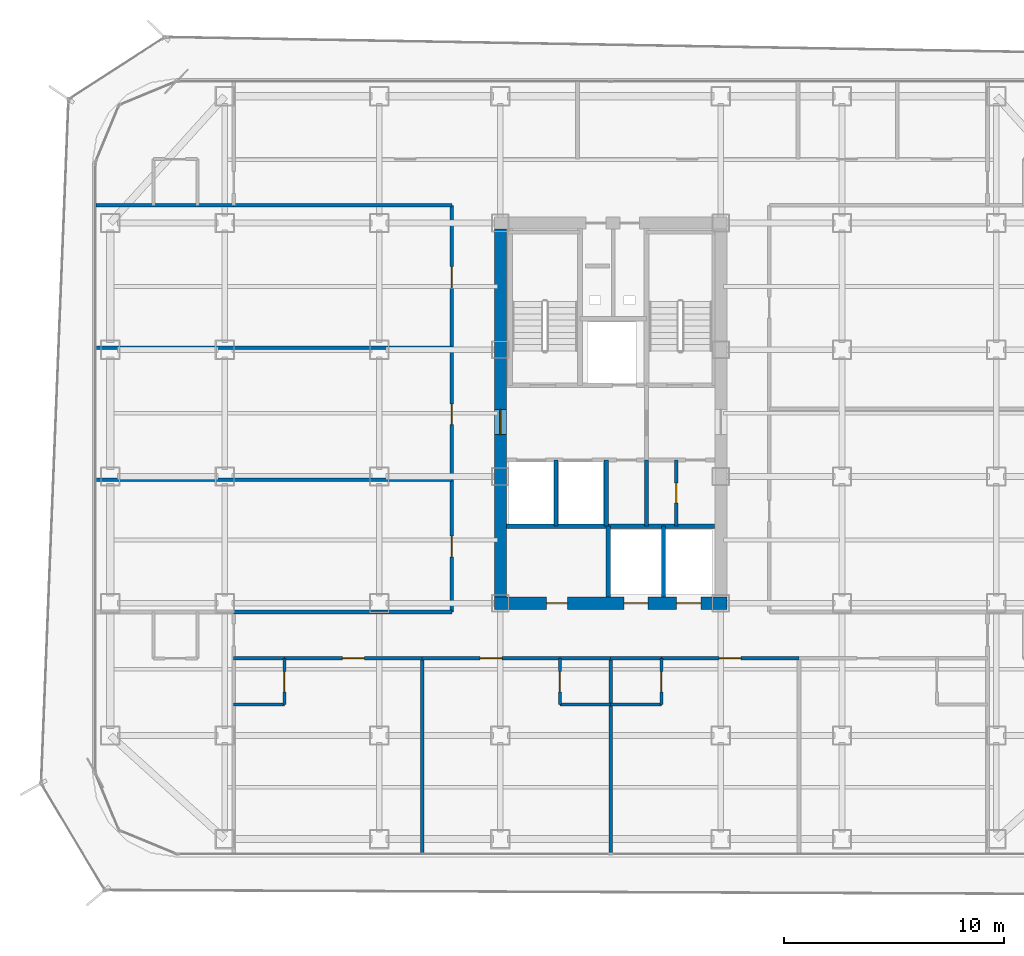
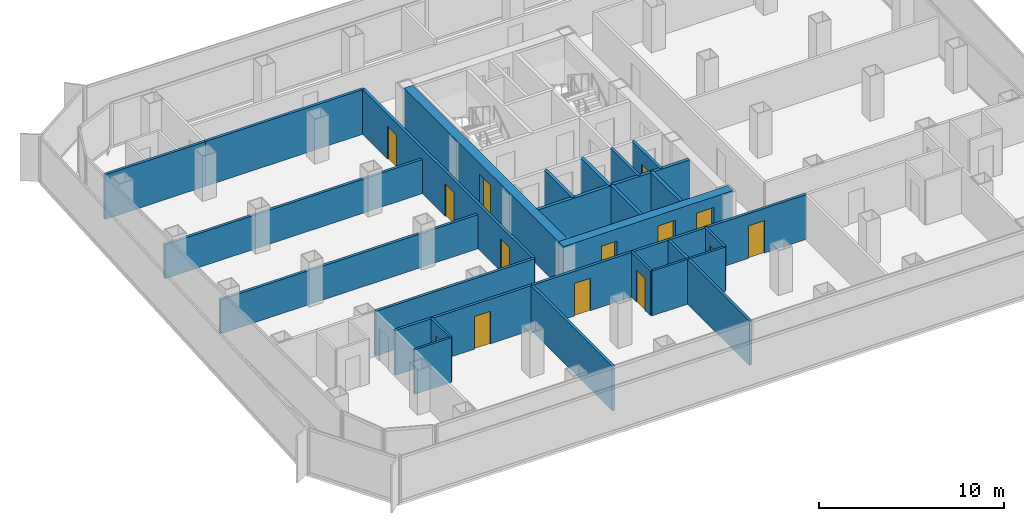
# One storey, part 16 of 21: 29 walls, 14 doors, 14 openings.
"""IFC4 building model written with IfcOpenShell, lengths in metres."""

import ifcopenshell
import ifcopenshell.guid

model = None  # the IFC model being written
_history = None  # IfcOwnerHistory: only IFC2X3 demands one
_inside = {}  # id of a spatial element -> (the spatial element, [elements in it])
_under = {}  # id of a project, library or spatial element -> (it, [spatial elements below it])
_declared = {}  # id of a project -> (the project, [libraries it declares])
_typed = {}  # id of a type object -> (the type object, [elements of that type])
_made_of = {}  # id of a material, layer set ... -> (it, [elements and type objects made of it])


def new_model(schema):
    """Start an empty IFC model of exactly this schema.

    Asked for "IFC4X3", IfcOpenShell would pick the latest addendum, in which some entities
    have other attributes; the version numbers below select the first issue.
    IFC2X3 requires an IfcOwnerHistory on every rooted entity: one is made here for all.
    """
    global model, _history
    if schema == "IFC4X3":
        model = ifcopenshell.file(schema_version=(4, 3, 0, 0))
    else:
        model = ifcopenshell.file(schema=schema)
    _inside.clear()
    _under.clear()
    _declared.clear()
    _typed.clear()
    _made_of.clear()
    _history = None
    if model.schema == "IFC2X3":
        org = make("IfcOrganization", Name="unknown")
        user = make(
            "IfcPersonAndOrganization",
            ThePerson=make("IfcPerson", FamilyName="unknown"),
            TheOrganization=org,
        )
        app = make(
            "IfcApplication",
            ApplicationDeveloper=org,
            Version="unknown",
            ApplicationFullName="unknown",
            ApplicationIdentifier="unknown",
        )
        _history = make(
            "IfcOwnerHistory",
            OwningUser=user,
            OwningApplication=app,
            ChangeAction="ADDED",
            CreationDate=0,
        )
    return model


def make(cls, **values):
    """One entity of the class cls with the attributes given. An attribute that is None is left unset."""
    return model.create_entity(
        cls, **{name: value for name, value in values.items() if value is not None}
    )


def rooted(cls, **values):
    """An entity with a GlobalId (a new one), such as an element, a storey or a relation."""
    return make(cls, GlobalId=ifcopenshell.guid.new(), OwnerHistory=_history, **values)


def si_unit(unit_type, name, prefix=None):
    """IfcSIUnit, for example si_unit("LENGTHUNIT", "METRE", prefix="MILLI")."""
    return make("IfcSIUnit", UnitType=unit_type, Prefix=prefix, Name=name)


def assignment(units):
    """IfcUnitAssignment: the units of a project."""
    return None if units is None else make("IfcUnitAssignment", Units=units)


def point(xyz):
    """IfcCartesianPoint."""
    return None if xyz is None else make("IfcCartesianPoint", Coordinates=xyz)


def direction(xyz):
    """IfcDirection."""
    return None if xyz is None else make("IfcDirection", DirectionRatios=xyz)


def frame(location, z_axis=None, x_axis=None):
    """IfcAxis2Placement3D, a coordinate frame: its origin and axes. An axis left out is left unset."""
    return make(
        "IfcAxis2Placement3D",
        Location=point(location),
        Axis=direction(z_axis),
        RefDirection=direction(x_axis),
    )


def frame_2d(location, x_axis=None):
    """IfcAxis2Placement2D, a coordinate frame in the plane: its origin and x axis."""
    return make(
        "IfcAxis2Placement2D", Location=point(location), RefDirection=direction(x_axis)
    )


def origin():
    """The frame at (0, 0, 0) with its axes left unset."""
    return frame((0.0, 0.0, 0.0))


def place(relative_to, where):
    """IfcLocalPlacement: puts the frame where relative to a parent placement (None: the world)."""
    return make(
        "IfcLocalPlacement", PlacementRelTo=relative_to, RelativePlacement=where
    )


def context(
    kind, dimensions, precision=None, world=None, true_north=None, identifier=None
):
    """IfcGeometricRepresentationContext, for example the 3D "Model" context."""
    return make(
        "IfcGeometricRepresentationContext",
        ContextIdentifier=identifier,
        ContextType=kind,
        CoordinateSpaceDimension=dimensions,
        Precision=precision,
        WorldCoordinateSystem=world,
        TrueNorth=true_north,
    )


def subcontext(parent, identifier, kind, view, scale=None):
    """IfcGeometricRepresentationSubContext, for example "Body" below "Model"."""
    return make(
        "IfcGeometricRepresentationSubContext",
        ContextIdentifier=identifier,
        ContextType=kind,
        ParentContext=parent,
        TargetScale=scale,
        TargetView=view,
    )


def project(units=None, contexts=None):
    """IfcProject with its units and contexts."""
    return rooted(
        "IfcProject",
        Name="project",
        RepresentationContexts=contexts,
        UnitsInContext=assignment(units),
    )


def spatial(cls, under=None, at=None, **own):
    """A site, building, storey or space (cls), placed at a placement, below another one or the project."""
    s = rooted(cls, ObjectPlacement=at, **own)
    if under is not None:
        _under.setdefault(under.id(), (under, []))[1].append(s)
    return s


def profile(cls, at=None, kind="AREA", **sizes):
    """A parametric profile (cls). Its sizes go by their IFC names, for example OverallWidth=200.0."""
    return make(cls, ProfileType=kind, Position=at, **sizes)


def rectangle(**sizes):
    """IfcRectangleProfileDef."""
    return profile("IfcRectangleProfileDef", **sizes)


def extrude(swept, where, along, depth):
    """IfcExtrudedAreaSolid: the profile swept, set in the frame where, extruded along a direction by depth."""
    return make(
        "IfcExtrudedAreaSolid",
        SweptArea=swept,
        Position=where,
        ExtrudedDirection=direction(along),
        Depth=depth,
    )


def shape(context_of_items, identifier, shape_type, items):
    """IfcShapeRepresentation: the items that make up one representation, for example the "Body"."""
    return make(
        "IfcShapeRepresentation",
        ContextOfItems=context_of_items,
        RepresentationIdentifier=identifier,
        RepresentationType=shape_type,
        Items=items,
    )


def material(Name=None, Category=None):
    """IfcMaterial."""
    return make("IfcMaterial", Name=Name, Category=Category)


def layer(
    of_material, thickness, ventilated=None, Name=None, Category=None, Priority=None
):
    """IfcMaterialLayer: one layer of a wall or slab, of a material (None: an air gap)."""
    return make(
        "IfcMaterialLayer",
        Material=of_material,
        LayerThickness=thickness,
        IsVentilated=ventilated,
        Name=Name,
        Category=Category,
        Priority=Priority,
    )


def layer_set(layers, Name=None):
    """IfcMaterialLayerSet."""
    return make("IfcMaterialLayerSet", MaterialLayers=layers, LayerSetName=Name)


def made_of(thing, what):
    """Note that an element or type object is made of a material, layer set ...; save() writes the relation."""
    if what is not None:
        _made_of.setdefault(what.id(), (what, []))[1].append(thing)
    return thing


def type_object(cls, material=None, **own):
    """A type object (cls), such as IfcWallType, which elements share."""
    return made_of(rooted(cls, **own), material)


def element(
    cls,
    number,
    at=None,
    inside=None,
    cuts=None,
    type_object=None,
    material=None,
    context=None,
    identifier="Body",
    shape_type=None,
    held_by="IfcProductDefinitionShape",
    body=None,
    shapes=None,
    **own,
):
    """One element of the class cls, such as IfcWall. Its Tag is "e" and its number.

    at: its placement. inside: the storey or other place that contains it. cuts: it is an
    opening in that element (IfcRelVoidsElement). A single representation is given by context,
    identifier, shape_type and body (its items); several are given by shapes. held_by: the class
    of the entity that holds the representations. save() writes the other relations.
    """
    e = rooted(cls, Tag="e%d" % number, ObjectPlacement=at, **own)
    if body is not None:
        shapes = [shape(context, identifier, shape_type, body)]
    if shapes is not None:
        e.Representation = make(held_by, Representations=shapes)
    if inside is not None:
        _inside.setdefault(inside.id(), (inside, []))[1].append(e)
    if cuts is not None:
        rooted(
            "IfcRelVoidsElement", RelatingBuildingElement=cuts, RelatedOpeningElement=e
        )
    if type_object is not None:
        _typed.setdefault(type_object.id(), (type_object, []))[1].append(e)
    return made_of(e, material)


def fill(opening, filler):
    """IfcRelFillsElement: the door or window that sits in an opening."""
    return rooted(
        "IfcRelFillsElement",
        RelatingOpeningElement=opening,
        RelatedBuildingElement=filler,
    )


def aggregate(whole, parts):
    """IfcRelAggregates: a whole, such as a stair, and the parts it consists of."""
    return rooted("IfcRelAggregates", RelatingObject=whole, RelatedObjects=parts)


def save(model, path):
    """Write the relations noted so far, then the file.

    IfcRelAggregates (storeys below a building ...), IfcRelContainedInSpatialStructure (elements
    in a storey), IfcRelDefinesByType, IfcRelAssociatesMaterial and IfcRelDeclares: one each for
    every whole, place, type object, material and project.
    """
    for whole, parts in _under.values():
        aggregate(whole, parts)
    for where, things in _inside.values():
        rooted(
            "IfcRelContainedInSpatialStructure",
            RelatedElements=things,
            RelatingStructure=where,
        )
    for kind, things in _typed.values():
        rooted("IfcRelDefinesByType", RelatedObjects=things, RelatingType=kind)
    for what, things in _made_of.values():
        rooted("IfcRelAssociatesMaterial", RelatedObjects=things, RelatingMaterial=what)
    for by, libraries in _declared.values():
        rooted("IfcRelDeclares", RelatingContext=by, RelatedDefinitions=libraries)
    model.write(path)


model = new_model("IFC4")

# Units and contexts
model_context = context("Model", 3, precision=1e-05, world=origin(), true_north=direction((0.0, 1.0)))
body_context = subcontext(model_context, "Body", "Model", "MODEL_VIEW")
ifc_project = project(units=[si_unit("LENGTHUNIT", "METRE"), si_unit("AREAUNIT", "SQUARE_METRE"), si_unit("VOLUMEUNIT", "CUBIC_METRE"), si_unit("PLANEANGLEUNIT", "RADIAN"), si_unit("MASSUNIT", "GRAM", prefix="KILO")], contexts=[model_context])

# Site, building, storey
site_placement = place(None, origin())
site = spatial("IfcSite", under=ifc_project, at=site_placement, CompositionType="ELEMENT")
building_placement = place(site_placement, origin())
building = spatial("IfcBuilding", under=site, at=building_placement, Name="Kolveth Station Tower", CompositionType="ELEMENT")
storey_placement = place(building_placement, frame((0.0, 0.0, 108.699951171875)))
storey = spatial("IfcBuildingStorey", under=building, at=storey_placement, Name="L29", CompositionType="ELEMENT", Elevation=108.699951171875)

# Wall, openings, doors
ifc_material_1 = material(Name="Concrete C60/75", Category="concrete")
ifc_layer_1 = layer(ifc_material_1, 0.550048828125)
ifc_layer_set_1 = layer_set([ifc_layer_1], Name="Concrete C60/75")
wall_type_1 = type_object("IfcWallType", Name="Wall_CW-550", PredefinedType="SHEAR", material=ifc_layer_set_1)
wall_1_placement = place(storey_placement, frame((18.22509765625, 11.5, 0.0), z_axis=(0.0, 0.0, 1.0), x_axis=(1.0, 0.0, 0.0)))
wall_1 = element("IfcWall", 1, at=wall_1_placement, inside=storey, type_object=wall_type_1, Name="L29 Core RC Shear Wall S", PredefinedType="SHEAR", context=body_context, shape_type="SweptSolid", body=[
    extrude(rectangle(XDim=10.5498046875, YDim=0.550048828125, at=frame_2d((5.27490234375, 0.0))), origin(), (0.0, 0.0, 1.0), 2.949951171875),
])
opening_1_placement = place(wall_1_placement, frame((2.375, 0.0, 0.0)))
opening_1 = element("IfcOpeningElement", 2, at=opening_1_placement, cuts=wall_1, Name="Opening ID1", PredefinedType="OPENING", context=body_context, shape_type="SweptSolid", body=[
    extrude(rectangle(XDim=0.949951171875, YDim=2.14990234375, at=frame_2d((0.47509765625, 1.074951171875))), frame((0.0, 0.284912109375, 0.0), z_axis=(0.0, -1.0, 0.0), x_axis=(1.0, 0.0, 0.0)), (0.0, 0.0, 1.0), 0.570068359375),
])
opening_2_placement = place(wall_1_placement, frame((5.875, 0.0, 0.0)))
opening_2 = element("IfcOpeningElement", 3, at=opening_2_placement, cuts=wall_1, Name="Opening LD1", PredefinedType="OPENING", context=body_context, shape_type="SweptSolid", body=[
    extrude(rectangle(XDim=1.10009765625, YDim=2.25, at=frame_2d((0.550048828125, 1.125))), frame((0.0, 0.284912109375, 0.0), z_axis=(0.0, -1.0, 0.0), x_axis=(1.0, 0.0, 0.0)), (0.0, 0.0, 1.0), 0.570068359375),
])
opening_3_placement = place(wall_1_placement, frame((8.27490234375, 0.0, 0.0)))
opening_3 = element("IfcOpeningElement", 4, at=opening_3_placement, cuts=wall_1, Name="Opening LD1", PredefinedType="OPENING", context=body_context, shape_type="SweptSolid", body=[
    extrude(rectangle(XDim=1.10009765625, YDim=2.25, at=frame_2d((0.550048828125, 1.125))), frame((0.0, 0.284912109375, 0.0), z_axis=(0.0, -1.0, 0.0), x_axis=(1.0, 0.0, 0.0)), (0.0, 0.0, 1.0), 0.570068359375),
])
ifc_material_2 = material(Name="Acoustic hardwood leaf and aluminium frame", Category="wood")
door_type_1 = type_object("IfcDoorType", Name="Door_ID1", OperationType="NOTDEFINED", PredefinedType="DOOR", material=ifc_material_2)
door_1_placement = place(opening_1_placement, frame((0.949951171875, 0.0, 0.0), z_axis=(0.0, 0.0, 1.0), x_axis=(-1.0, 0.0, 0.0)))
door_1 = element("IfcDoor", 5, at=door_1_placement, inside=storey, type_object=door_type_1, Name="L29 Hotel Pantry Door", OperationType="SINGLE_SWING_LEFT", OverallHeight=2.14990234375, OverallWidth=0.949951171875, PredefinedType="DOOR", context=body_context, shape_type="SweptSolid", body=[
    extrude(rectangle(XDim=0.949951171875, YDim=2.14990234375, at=frame_2d((0.47509765625, 1.074951171875))), frame((0.0, 0.02490234375, 0.0), z_axis=(0.0, -1.0, 0.0), x_axis=(1.0, 0.0, 0.0)), (0.0, 0.0, 1.0), 0.050048828125),
])
fill(opening_1, door_1)
ifc_material_3 = material(Name="Brushed stainless steel sliding landing doors", Category="steel")
door_type_2 = type_object("IfcDoorType", Name="Door_LD1", OperationType="NOTDEFINED", PredefinedType="DOOR", material=ifc_material_3)
door_2_placement = place(opening_2_placement, frame((1.10009765625, 0.0, 0.0), z_axis=(0.0, 0.0, 1.0), x_axis=(-1.0, 0.0, 0.0)))
door_2 = element("IfcDoor", 6, at=door_2_placement, inside=storey, type_object=door_type_2, Name="L29 Lift PM1 Landing Door", OperationType="DOUBLE_DOOR_SLIDING", OverallHeight=2.25, OverallWidth=1.10009765625, PredefinedType="DOOR", context=body_context, shape_type="SweptSolid", body=[
    extrude(rectangle(XDim=1.10009765625, YDim=2.25, at=frame_2d((0.550048828125, 1.125))), frame((0.0, 0.02490234375, 0.0), z_axis=(0.0, -1.0, 0.0), x_axis=(1.0, 0.0, 0.0)), (0.0, 0.0, 1.0), 0.050048828125),
])
fill(opening_2, door_2)
door_3_placement = place(opening_3_placement, frame((1.10009765625, 0.0, 0.0), z_axis=(0.0, 0.0, 1.0), x_axis=(-1.0, 0.0, 0.0)))
door_3 = element("IfcDoor", 7, at=door_3_placement, inside=storey, type_object=door_type_2, Name="L29 Lift PH1 Landing Door", OperationType="DOUBLE_DOOR_SLIDING", OverallHeight=2.25, OverallWidth=1.10009765625, PredefinedType="DOOR", context=body_context, shape_type="SweptSolid", body=[
    extrude(rectangle(XDim=1.10009765625, YDim=2.25, at=frame_2d((0.550048828125, 1.125))), frame((0.0, 0.02490234375, 0.0), z_axis=(0.0, -1.0, 0.0), x_axis=(1.0, 0.0, 0.0)), (0.0, 0.0, 1.0), 0.050048828125),
])
fill(opening_3, door_3)

# Wall, opening, door
wall_2_placement = place(storey_placement, frame((18.5, 11.77490234375, 0.0), z_axis=(0.0, 0.0, 1.0), x_axis=(0.0, 1.0, 0.0)))
wall_2 = element("IfcWall", 8, at=wall_2_placement, inside=storey, type_object=wall_type_1, Name="L29 Core RC Shear Wall W", PredefinedType="SHEAR", context=body_context, shape_type="SweptSolid", body=[
    extrude(rectangle(XDim=16.7001953125, YDim=0.550048828125, at=frame_2d((8.35009765625, 0.0))), origin(), (0.0, 0.0, 1.0), 2.949951171875),
])
opening_4_placement = place(wall_2_placement, frame((7.375, 0.0, 0.0)))
opening_4 = element("IfcOpeningElement", 9, at=opening_4_placement, cuts=wall_2, Name="Opening FD1", PredefinedType="OPENING", context=body_context, shape_type="SweptSolid", body=[
    extrude(rectangle(XDim=1.14990234375, YDim=2.199951171875, at=frame_2d((0.574951171875, 1.10009765625))), frame((0.0, 0.284912109375, 0.0), z_axis=(0.0, -1.0, 0.0), x_axis=(1.0, 0.0, 0.0)), (0.0, 0.0, 1.0), 0.570068359375),
])
ifc_material_4 = material(Name="Fire-rated Steel S355 leaf and frame", Category="steel")
door_type_3 = type_object("IfcDoorType", Name="Door_FD1", OperationType="NOTDEFINED", PredefinedType="DOOR", material=ifc_material_4)
door_4_placement = place(opening_4_placement, frame((1.14990234375, 0.0, 0.0), z_axis=(0.0, 0.0, 1.0), x_axis=(-1.0, 0.0, 0.0)))
door_4 = element("IfcDoor", 10, at=door_4_placement, inside=storey, type_object=door_type_3, Name="L29 West Corridor to Firefighting Lobby Door", OperationType="SINGLE_SWING_LEFT", OverallHeight=2.199951171875, OverallWidth=1.14990234375, PredefinedType="DOOR", context=body_context, shape_type="SweptSolid", body=[
    extrude(rectangle(XDim=1.14990234375, YDim=2.199951171875, at=frame_2d((0.574951171875, 1.10009765625))), frame((0.0, 0.02490234375, 0.0), z_axis=(0.0, -1.0, 0.0), x_axis=(1.0, 0.0, 0.0)), (0.0, 0.0, 1.0), 0.050048828125),
])
fill(opening_4, door_4)

ifc_material_5 = material(Name="Moisture-resistant gypsum partition")
ifc_layer_2 = layer(ifc_material_5, 0.135009765625)
ifc_layer_set_2 = layer_set([ifc_layer_2], Name="Moisture-resistant gypsum partition")
wall_type_2 = type_object("IfcWallType", Name="Wall_IW-135", PredefinedType="PARTITIONING", material=ifc_layer_set_2)
wall_3_placement = place(storey_placement, frame((8.699951171875, 6.89990234375, 0.0), z_axis=(0.0, 0.0, 1.0), x_axis=(0.0, 1.0, 0.0)))
wall_3 = element("IfcWall", 11, at=wall_3_placement, inside=storey, type_object=wall_type_2, Name="L29 Partition Wall WL-L29-HS1-BV", PredefinedType="PARTITIONING", context=body_context, shape_type="SweptSolid", body=[
    extrude(rectangle(XDim=2.10009765625, YDim=0.135009765625, at=frame_2d((1.050048828125, 0.0))), origin(), (0.0, 0.0, 1.0), 2.949951171875),
])
opening_5_placement = place(wall_3_placement, frame((0.580078125, 0.0, 0.0)))
opening_5 = element("IfcOpeningElement", 12, at=opening_5_placement, cuts=wall_3, Name="Opening ID2", PredefinedType="OPENING", context=body_context, shape_type="SweptSolid", body=[
    extrude(rectangle(XDim=0.919921875, YDim=2.10009765625, at=frame_2d((0.4599609375, 1.050048828125))), frame((0.0, 0.077392578125, 0.0), z_axis=(0.0, -1.0, 0.0), x_axis=(1.0, 0.0, 0.0)), (0.0, 0.0, 1.0), 0.155029296875),
])
ifc_material_6 = material(Name="Moisture-resistant hardwood leaf", Category="wood")
door_type_4 = type_object("IfcDoorType", Name="Door_ID2", OperationType="NOTDEFINED", PredefinedType="DOOR", material=ifc_material_6)
door_5_placement = place(opening_5_placement, frame((0.919921875, 0.0, 0.0), z_axis=(0.0, 0.0, 1.0), x_axis=(-1.0, 0.0, 0.0)))
door_5 = element("IfcDoor", 13, at=door_5_placement, inside=storey, type_object=door_type_4, Name="L29 Hotel Corner Suite HS1 En-Suite Door", OperationType="SINGLE_SWING_LEFT", OverallHeight=2.10009765625, OverallWidth=0.919921875, PredefinedType="DOOR", context=body_context, shape_type="SweptSolid", body=[
    extrude(rectangle(XDim=0.919921875, YDim=2.10009765625, at=frame_2d((0.4599609375, 1.050048828125))), frame((0.0, 0.02490234375, 0.0), z_axis=(0.0, -1.0, 0.0), x_axis=(1.0, 0.0, 0.0)), (0.0, 0.0, 1.0), 0.050048828125),
])
fill(opening_5, door_5)

# Wall
wall_4_placement = place(storey_placement, frame((6.39990234375, 6.89990234375, 0.0), z_axis=(0.0, 0.0, 1.0), x_axis=(1.0, 0.0, 0.0)))
element("IfcWall", 14, at=wall_4_placement, inside=storey, type_object=wall_type_2, Name="L29 Partition Wall WL-L29-HS1-BH", PredefinedType="PARTITIONING", context=body_context, shape_type="SweptSolid", body=[
    extrude(rectangle(XDim=2.300048828125, YDim=0.135009765625, at=frame_2d((1.14990234375, 0.0))), origin(), (0.0, 0.0, 1.0), 2.949951171875),
])

# Wall, opening, door
wall_5_placement = place(storey_placement, frame((21.199951171875, 6.89990234375, 0.0), z_axis=(0.0, 0.0, 1.0), x_axis=(0.0, 1.0, 0.0)))
wall_5 = element("IfcWall", 15, at=wall_5_placement, inside=storey, type_object=wall_type_2, Name="L29 Partition Wall WL-L29-HS2-BV", PredefinedType="PARTITIONING", context=body_context, shape_type="SweptSolid", body=[
    extrude(rectangle(XDim=2.10009765625, YDim=0.135009765625, at=frame_2d((1.050048828125, 0.0))), origin(), (0.0, 0.0, 1.0), 2.949951171875),
])
opening_6_placement = place(wall_5_placement, frame((0.580078125, 0.0, 0.0)))
opening_6 = element("IfcOpeningElement", 16, at=opening_6_placement, cuts=wall_5, Name="Opening ID2", PredefinedType="OPENING", context=body_context, shape_type="SweptSolid", body=[
    extrude(rectangle(XDim=0.919921875, YDim=2.10009765625, at=frame_2d((0.4599609375, 1.050048828125))), frame((0.0, 0.077392578125, 0.0), z_axis=(0.0, -1.0, 0.0), x_axis=(1.0, 0.0, 0.0)), (0.0, 0.0, 1.0), 0.155029296875),
])
door_6_placement = place(opening_6_placement, origin())
door_6 = element("IfcDoor", 17, at=door_6_placement, inside=storey, type_object=door_type_4, Name="L29 Hotel Corner Suite HS2 En-Suite Door", OperationType="SINGLE_SWING_RIGHT", OverallHeight=2.10009765625, OverallWidth=0.919921875, PredefinedType="DOOR", context=body_context, shape_type="SweptSolid", body=[
    extrude(rectangle(XDim=0.919921875, YDim=2.10009765625, at=frame_2d((0.4599609375, 1.050048828125))), frame((0.0, 0.02490234375, 0.0), z_axis=(0.0, -1.0, 0.0), x_axis=(1.0, 0.0, 0.0)), (0.0, 0.0, 1.0), 0.050048828125),
])
fill(opening_6, door_6)

# Wall
wall_6_placement = place(storey_placement, frame((21.199951171875, 6.89990234375, 0.0), z_axis=(0.0, 0.0, 1.0), x_axis=(1.0, 0.0, 0.0)))
element("IfcWall", 18, at=wall_6_placement, inside=storey, type_object=wall_type_2, Name="L29 Partition Wall WL-L29-HS2-BH", PredefinedType="PARTITIONING", context=body_context, shape_type="SweptSolid", body=[
    extrude(rectangle(XDim=2.300048828125, YDim=0.135009765625, at=frame_2d((1.14990234375, 0.0))), origin(), (0.0, 0.0, 1.0), 2.949951171875),
])

# Wall, opening, door
wall_7_placement = place(storey_placement, frame((25.800048828125, 6.89990234375, 0.0), z_axis=(0.0, 0.0, 1.0), x_axis=(0.0, 1.0, 0.0)))
wall_7 = element("IfcWall", 19, at=wall_7_placement, inside=storey, type_object=wall_type_2, Name="L29 Partition Wall WL-L29-HS3-BV", PredefinedType="PARTITIONING", context=body_context, shape_type="SweptSolid", body=[
    extrude(rectangle(XDim=2.10009765625, YDim=0.135009765625, at=frame_2d((1.050048828125, 0.0))), origin(), (0.0, 0.0, 1.0), 2.949951171875),
])
opening_7_placement = place(wall_7_placement, frame((0.580078125, 0.0, 0.0)))
opening_7 = element("IfcOpeningElement", 20, at=opening_7_placement, cuts=wall_7, Name="Opening ID2", PredefinedType="OPENING", context=body_context, shape_type="SweptSolid", body=[
    extrude(rectangle(XDim=0.919921875, YDim=2.10009765625, at=frame_2d((0.4599609375, 1.050048828125))), frame((0.0, 0.077392578125, 0.0), z_axis=(0.0, -1.0, 0.0), x_axis=(1.0, 0.0, 0.0)), (0.0, 0.0, 1.0), 0.155029296875),
])
door_7_placement = place(opening_7_placement, frame((0.919921875, 0.0, 0.0), z_axis=(0.0, 0.0, 1.0), x_axis=(-1.0, 0.0, 0.0)))
door_7 = element("IfcDoor", 21, at=door_7_placement, inside=storey, type_object=door_type_4, Name="L29 Hotel Corner Suite HS3 En-Suite Door", OperationType="SINGLE_SWING_RIGHT", OverallHeight=2.10009765625, OverallWidth=0.919921875, PredefinedType="DOOR", context=body_context, shape_type="SweptSolid", body=[
    extrude(rectangle(XDim=0.919921875, YDim=2.10009765625, at=frame_2d((0.4599609375, 1.050048828125))), frame((0.0, 0.02490234375, 0.0), z_axis=(0.0, -1.0, 0.0), x_axis=(1.0, 0.0, 0.0)), (0.0, 0.0, 1.0), 0.050048828125),
])
fill(opening_7, door_7)

# Walls
wall_8_placement = place(storey_placement, frame((23.5, 6.89990234375, 0.0), z_axis=(0.0, 0.0, 1.0), x_axis=(1.0, 0.0, 0.0)))
element("IfcWall", 22, at=wall_8_placement, inside=storey, type_object=wall_type_2, Name="L29 Partition Wall WL-L29-HS3-BH", PredefinedType="PARTITIONING", context=body_context, shape_type="SweptSolid", body=[
    extrude(rectangle(XDim=2.300048828125, YDim=0.135009765625, at=frame_2d((1.14990234375, 0.0))), origin(), (0.0, 0.0, 1.0), 2.949951171875),
])
ifc_material_7 = material(Name="Acoustic double-stud gypsum partition")
ifc_layer_3 = layer(ifc_material_7, 0.1650390625)
ifc_layer_set_3 = layer_set([ifc_layer_3], Name="Acoustic double-stud gypsum partition")
wall_type_3 = type_object("IfcWallType", Name="Wall_IW-165", PredefinedType="PARTITIONING", material=ifc_layer_set_3)
wall_9_placement = place(storey_placement, frame((25.1298828125, 15.0, 0.0), z_axis=(0.0, 0.0, 1.0), x_axis=(0.0, 1.0, 0.0)))
element("IfcWall", 23, at=wall_9_placement, inside=storey, type_object=wall_type_3, Name="L29 Partition Wall WL-L29-CB-V3A", PredefinedType="PARTITIONING", context=body_context, shape_type="SweptSolid", body=[
    extrude(rectangle(XDim=3.0, YDim=0.1650390625, at=frame_2d((1.5, 0.0))), origin(), (0.0, 0.0, 1.0), 2.949951171875),
])

# Wall, opening, door
wall_10_placement = place(storey_placement, frame((26.47998046875, 15.0, 0.0), z_axis=(0.0, 0.0, 1.0), x_axis=(0.0, 1.0, 0.0)))
wall_10 = element("IfcWall", 24, at=wall_10_placement, inside=storey, type_object=wall_type_3, Name="L29 Partition Wall WL-L29-CB-V3B", PredefinedType="PARTITIONING", context=body_context, shape_type="SweptSolid", body=[
    extrude(rectangle(XDim=3.0, YDim=0.1650390625, at=frame_2d((1.5, 0.0))), origin(), (0.0, 0.0, 1.0), 2.949951171875),
])
opening_8_placement = place(wall_10_placement, frame((1.050048828125, 0.0, 0.0)))
opening_8 = element("IfcOpeningElement", 25, at=opening_8_placement, cuts=wall_10, Name="Opening RD1", PredefinedType="OPENING", context=body_context, shape_type="SweptSolid", body=[
    extrude(rectangle(XDim=0.89990234375, YDim=2.050048828125, at=frame_2d((0.449951171875, 1.02490234375))), frame((0.0, 0.092529296875, 0.0), z_axis=(0.0, -1.0, 0.0), x_axis=(1.0, 0.0, 0.0)), (0.0, 0.0, 1.0), 0.18505859375),
])
ifc_material_8 = material(Name="Fire-rated Steel S355 riser access leaf", Category="steel")
door_type_5 = type_object("IfcDoorType", Name="Door_RD1", OperationType="NOTDEFINED", PredefinedType="DOOR", material=ifc_material_8)
door_8_placement = place(opening_8_placement, origin())
door_8 = element("IfcDoor", 26, at=door_8_placement, inside=storey, type_object=door_type_5, Name="L29 Core Meter Closet Door", OperationType="SINGLE_SWING_LEFT", OverallHeight=2.050048828125, OverallWidth=0.89990234375, PredefinedType="DOOR", context=body_context, shape_type="SweptSolid", body=[
    extrude(rectangle(XDim=0.89990234375, YDim=2.050048828125, at=frame_2d((0.449951171875, 1.02490234375))), frame((0.0, 0.02490234375, 0.0), z_axis=(0.0, -1.0, 0.0), x_axis=(1.0, 0.0, 0.0)), (0.0, 0.0, 1.0), 0.050048828125),
])
fill(opening_8, door_8)

# Walls
for number, where, z_axis, x_axis, name in (
    (27, (6.39990234375, 11.10009765625, 0.0), (0.0, 0.0, 1.0), (1.0, 0.0, 0.0), "L29 Partition Wall WL-L29-HSWT"),
    (28, (6.39990234375, 29.550048828125, 0.0), (0.0, 0.0, 1.0), (1.0, 0.0, 0.0), "L29 Partition Wall WL-L29-HNWB"),
):
    element("IfcWall", number, at=place(storey_placement, frame(where, z_axis=z_axis, x_axis=x_axis)), inside=storey, type_object=wall_type_3, Name=name, PredefinedType="PARTITIONING", context=body_context, shape_type="SweptSolid", body=[
        extrude(rectangle(XDim=9.900146484375, YDim=0.1650390625, at=frame_2d((4.9501953125, 0.0))), origin(), (0.0, 0.0, 1.0), 2.949951171875),
    ])

# Wall, openings, doors
wall_11_placement = place(storey_placement, frame((16.300048828125, 11.10009765625, 0.0), z_axis=(0.0, 0.0, 1.0), x_axis=(0.0, 1.0, 0.0)))
wall_11 = element("IfcWall", 29, at=wall_11_placement, inside=storey, type_object=wall_type_3, Name="L29 Partition Wall WL-L29-HW", PredefinedType="PARTITIONING", context=body_context, shape_type="SweptSolid", body=[
    extrude(rectangle(XDim=18.449951171875, YDim=0.1650390625, at=frame_2d((9.22509765625, 0.0))), origin(), (0.0, 0.0, 1.0), 2.949951171875),
])
opening_9_placement = place(wall_11_placement, frame((2.5, 0.0, 0.0)))
opening_9 = element("IfcOpeningElement", 30, at=opening_9_placement, cuts=wall_11, Name="Opening ID1", PredefinedType="OPENING", context=body_context, shape_type="SweptSolid", body=[
    extrude(rectangle(XDim=0.949951171875, YDim=2.14990234375, at=frame_2d((0.47509765625, 1.074951171875))), frame((0.0, 0.092529296875, 0.0), z_axis=(0.0, -1.0, 0.0), x_axis=(1.0, 0.0, 0.0)), (0.0, 0.0, 1.0), 0.18505859375),
])
opening_10_placement = place(wall_11_placement, frame((8.5, 0.0, 0.0)))
opening_10 = element("IfcOpeningElement", 31, at=opening_10_placement, cuts=wall_11, Name="Opening ID1", PredefinedType="OPENING", context=body_context, shape_type="SweptSolid", body=[
    extrude(rectangle(XDim=0.949951171875, YDim=2.14990234375, at=frame_2d((0.47509765625, 1.074951171875))), frame((0.0, 0.092529296875, 0.0), z_axis=(0.0, -1.0, 0.0), x_axis=(1.0, 0.0, 0.0)), (0.0, 0.0, 1.0), 0.18505859375),
])
opening_11_placement = place(wall_11_placement, frame((14.72509765625, 0.0, 0.0)))
opening_11 = element("IfcOpeningElement", 32, at=opening_11_placement, cuts=wall_11, Name="Opening ID1", PredefinedType="OPENING", context=body_context, shape_type="SweptSolid", body=[
    extrude(rectangle(XDim=0.949951171875, YDim=2.14990234375, at=frame_2d((0.47509765625, 1.074951171875))), frame((0.0, 0.092529296875, 0.0), z_axis=(0.0, -1.0, 0.0), x_axis=(1.0, 0.0, 0.0)), (0.0, 0.0, 1.0), 0.18505859375),
])
door_9_placement = place(opening_9_placement, frame((0.949951171875, 0.0, 0.0), z_axis=(0.0, 0.0, 1.0), x_axis=(-1.0, 0.0, 0.0)))
door_9 = element("IfcDoor", 33, at=door_9_placement, inside=storey, type_object=door_type_1, Name="L29 Club Study 1 Door", OperationType="SINGLE_SWING_RIGHT", OverallHeight=2.14990234375, OverallWidth=0.949951171875, PredefinedType="DOOR", context=body_context, shape_type="SweptSolid", body=[
    extrude(rectangle(XDim=0.949951171875, YDim=2.14990234375, at=frame_2d((0.47509765625, 1.074951171875))), frame((0.0, 0.02490234375, 0.0), z_axis=(0.0, -1.0, 0.0), x_axis=(1.0, 0.0, 0.0)), (0.0, 0.0, 1.0), 0.050048828125),
])
fill(opening_9, door_9)
door_10_placement = place(opening_10_placement, frame((0.949951171875, 0.0, 0.0), z_axis=(0.0, 0.0, 1.0), x_axis=(-1.0, 0.0, 0.0)))
door_10 = element("IfcDoor", 34, at=door_10_placement, inside=storey, type_object=door_type_1, Name="L29 Club Study 2 Door", OperationType="SINGLE_SWING_LEFT", OverallHeight=2.14990234375, OverallWidth=0.949951171875, PredefinedType="DOOR", context=body_context, shape_type="SweptSolid", body=[
    extrude(rectangle(XDim=0.949951171875, YDim=2.14990234375, at=frame_2d((0.47509765625, 1.074951171875))), frame((0.0, 0.02490234375, 0.0), z_axis=(0.0, -1.0, 0.0), x_axis=(1.0, 0.0, 0.0)), (0.0, 0.0, 1.0), 0.050048828125),
])
fill(opening_10, door_10)
door_11_placement = place(opening_11_placement, frame((0.949951171875, 0.0, 0.0), z_axis=(0.0, 0.0, 1.0), x_axis=(-1.0, 0.0, 0.0)))
door_11 = element("IfcDoor", 35, at=door_11_placement, inside=storey, type_object=door_type_1, Name="L29 Hotel Guest Lounge Door", OperationType="SINGLE_SWING_RIGHT", OverallHeight=2.14990234375, OverallWidth=0.949951171875, PredefinedType="DOOR", context=body_context, shape_type="SweptSolid", body=[
    extrude(rectangle(XDim=0.949951171875, YDim=2.14990234375, at=frame_2d((0.47509765625, 1.074951171875))), frame((0.0, 0.02490234375, 0.0), z_axis=(0.0, -1.0, 0.0), x_axis=(1.0, 0.0, 0.0)), (0.0, 0.0, 1.0), 0.050048828125),
])
fill(opening_11, door_11)

# Walls
wall_12_placement = place(storey_placement, frame((0.159912109375, 29.550048828125, 0.0), z_axis=(0.0, 0.0, 1.0), x_axis=(1.0, 0.0, 0.0)))
element("IfcWall", 36, at=wall_12_placement, inside=storey, type_object=wall_type_3, Name="L29 Partition Wall WL-L29-WM2", PredefinedType="PARTITIONING", context=body_context, shape_type="SweptSolid", body=[
    extrude(rectangle(XDim=6.239990234375, YDim=0.1650390625, at=frame_2d((3.1201171875, 0.0))), origin(), (0.0, 0.0, 1.0), 2.949951171875),
])
wall_13_placement = place(storey_placement, frame((6.39990234375, 9.0, 0.0), z_axis=(0.0, 0.0, 1.0), x_axis=(1.0, 0.0, 0.0)))
element("IfcWall", 37, at=wall_13_placement, inside=storey, type_object=wall_type_3, Name="L29 Partition Wall WL-L29-HS1-BCOR", PredefinedType="PARTITIONING", context=body_context, shape_type="SweptSolid", body=[
    extrude(rectangle(XDim=2.300048828125, YDim=0.1650390625, at=frame_2d((1.14990234375, 0.0))), origin(), (0.0, 0.0, 1.0), 2.949951171875),
])

# Wall, opening, door
wall_14_placement = place(storey_placement, frame((8.699951171875, 9.0, 0.0), z_axis=(0.0, 0.0, 1.0), x_axis=(1.0, 0.0, 0.0)))
wall_14 = element("IfcWall", 38, at=wall_14_placement, inside=storey, type_object=wall_type_3, Name="L29 Partition Wall WL-L29-HS1-RCOR", PredefinedType="PARTITIONING", context=body_context, shape_type="SweptSolid", body=[
    extrude(rectangle(XDim=6.25, YDim=0.1650390625, at=frame_2d((3.125, 0.0))), origin(), (0.0, 0.0, 1.0), 2.949951171875),
])
opening_12_placement = place(wall_14_placement, frame((2.625, 0.0, 0.0)))
opening_12 = element("IfcOpeningElement", 39, at=opening_12_placement, cuts=wall_14, Name="Opening FD3", PredefinedType="OPENING", context=body_context, shape_type="SweptSolid", body=[
    extrude(rectangle(XDim=1.0, YDim=2.14990234375, at=frame_2d((0.5, 1.074951171875))), frame((0.0, 0.092529296875, 0.0), z_axis=(0.0, -1.0, 0.0), x_axis=(1.0, 0.0, 0.0)), (0.0, 0.0, 1.0), 0.18505859375),
])
ifc_material_9 = material(Name="Fire-rated hardwood leaf and aluminium frame", Category="wood")
door_type_6 = type_object("IfcDoorType", Name="Door_FD3", OperationType="NOTDEFINED", PredefinedType="DOOR", material=ifc_material_9)
door_12_placement = place(opening_12_placement, frame((1.0, 0.0, 0.0), z_axis=(0.0, 0.0, 1.0), x_axis=(-1.0, 0.0, 0.0)))
door_12 = element("IfcDoor", 40, at=door_12_placement, inside=storey, type_object=door_type_6, Name="L29 Hotel Corner Suite HS1 Entrance Door", OperationType="SINGLE_SWING_LEFT", OverallHeight=2.14990234375, OverallWidth=1.0, PredefinedType="DOOR", context=body_context, shape_type="SweptSolid", body=[
    extrude(rectangle(XDim=1.0, YDim=2.14990234375, at=frame_2d((0.5, 1.074951171875))), frame((0.0, 0.02490234375, 0.0), z_axis=(0.0, -1.0, 0.0), x_axis=(1.0, 0.0, 0.0)), (0.0, 0.0, 1.0), 0.050048828125),
])
fill(opening_12, door_12)

# Walls
wall_15_placement = place(storey_placement, frame((14.949951171875, 0.159912109375, 0.0), z_axis=(0.0, 0.0, 1.0), x_axis=(0.0, 1.0, 0.0)))
element("IfcWall", 41, at=wall_15_placement, inside=storey, type_object=wall_type_3, Name="L29 Partition Wall WL-L29-HSK-1", PredefinedType="PARTITIONING", context=body_context, shape_type="SweptSolid", body=[
    extrude(rectangle(XDim=8.840087890625, YDim=0.1650390625, at=frame_2d((4.419921875, 0.0))), origin(), (0.0, 0.0, 1.0), 2.949951171875),
])
wall_16_placement = place(storey_placement, frame((21.199951171875, 9.0, 0.0), z_axis=(0.0, 0.0, 1.0), x_axis=(1.0, 0.0, 0.0)))
element("IfcWall", 42, at=wall_16_placement, inside=storey, type_object=wall_type_3, Name="L29 Partition Wall WL-L29-HS2-BCOR", PredefinedType="PARTITIONING", context=body_context, shape_type="SweptSolid", body=[
    extrude(rectangle(XDim=2.300048828125, YDim=0.1650390625, at=frame_2d((1.14990234375, 0.0))), origin(), (0.0, 0.0, 1.0), 2.949951171875),
])

# Wall, opening, door
wall_17_placement = place(storey_placement, frame((14.949951171875, 9.0, 0.0), z_axis=(0.0, 0.0, 1.0), x_axis=(1.0, 0.0, 0.0)))
wall_17 = element("IfcWall", 43, at=wall_17_placement, inside=storey, type_object=wall_type_3, Name="L29 Partition Wall WL-L29-HS2-RCOR", PredefinedType="PARTITIONING", context=body_context, shape_type="SweptSolid", body=[
    extrude(rectangle(XDim=6.25, YDim=0.1650390625, at=frame_2d((3.125, 0.0))), origin(), (0.0, 0.0, 1.0), 2.949951171875),
])
opening_13_placement = place(wall_17_placement, frame((2.625, 0.0, 0.0)))
opening_13 = element("IfcOpeningElement", 44, at=opening_13_placement, cuts=wall_17, Name="Opening FD3", PredefinedType="OPENING", context=body_context, shape_type="SweptSolid", body=[
    extrude(rectangle(XDim=1.0, YDim=2.14990234375, at=frame_2d((0.5, 1.074951171875))), frame((0.0, 0.092529296875, 0.0), z_axis=(0.0, -1.0, 0.0), x_axis=(1.0, 0.0, 0.0)), (0.0, 0.0, 1.0), 0.18505859375),
])
door_13_placement = place(opening_13_placement, frame((1.0, 0.0, 0.0), z_axis=(0.0, 0.0, 1.0), x_axis=(-1.0, 0.0, 0.0)))
door_13 = element("IfcDoor", 45, at=door_13_placement, inside=storey, type_object=door_type_6, Name="L29 Hotel Corner Suite HS2 Entrance Door", OperationType="SINGLE_SWING_LEFT", OverallHeight=2.14990234375, OverallWidth=1.0, PredefinedType="DOOR", context=body_context, shape_type="SweptSolid", body=[
    extrude(rectangle(XDim=1.0, YDim=2.14990234375, at=frame_2d((0.5, 1.074951171875))), frame((0.0, 0.02490234375, 0.0), z_axis=(0.0, -1.0, 0.0), x_axis=(1.0, 0.0, 0.0)), (0.0, 0.0, 1.0), 0.050048828125),
])
fill(opening_13, door_13)

# Walls
wall_18_placement = place(storey_placement, frame((23.5, 0.159912109375, 0.0), z_axis=(0.0, 0.0, 1.0), x_axis=(0.0, 1.0, 0.0)))
element("IfcWall", 46, at=wall_18_placement, inside=storey, type_object=wall_type_3, Name="L29 Partition Wall WL-L29-HSK-2", PredefinedType="PARTITIONING", context=body_context, shape_type="SweptSolid", body=[
    extrude(rectangle(XDim=8.840087890625, YDim=0.1650390625, at=frame_2d((4.419921875, 0.0))), origin(), (0.0, 0.0, 1.0), 2.949951171875),
])
wall_19_placement = place(storey_placement, frame((23.5, 9.0, 0.0), z_axis=(0.0, 0.0, 1.0), x_axis=(1.0, 0.0, 0.0)))
element("IfcWall", 47, at=wall_19_placement, inside=storey, type_object=wall_type_3, Name="L29 Partition Wall WL-L29-HS3-BCOR", PredefinedType="PARTITIONING", context=body_context, shape_type="SweptSolid", body=[
    extrude(rectangle(XDim=2.300048828125, YDim=0.1650390625, at=frame_2d((1.14990234375, 0.0))), origin(), (0.0, 0.0, 1.0), 2.949951171875),
])

# Wall, opening, door
wall_20_placement = place(storey_placement, frame((25.800048828125, 9.0, 0.0), z_axis=(0.0, 0.0, 1.0), x_axis=(1.0, 0.0, 0.0)))
wall_20 = element("IfcWall", 48, at=wall_20_placement, inside=storey, type_object=wall_type_3, Name="L29 Partition Wall WL-L29-HS3-RCOR", PredefinedType="PARTITIONING", context=body_context, shape_type="SweptSolid", body=[
    extrude(rectangle(XDim=6.25, YDim=0.1650390625, at=frame_2d((3.125, 0.0))), origin(), (0.0, 0.0, 1.0), 2.949951171875),
])
opening_14_placement = place(wall_20_placement, frame((2.625, 0.0, 0.0)))
opening_14 = element("IfcOpeningElement", 49, at=opening_14_placement, cuts=wall_20, Name="Opening FD3", PredefinedType="OPENING", context=body_context, shape_type="SweptSolid", body=[
    extrude(rectangle(XDim=1.0, YDim=2.14990234375, at=frame_2d((0.5, 1.074951171875))), frame((0.0, 0.092529296875, 0.0), z_axis=(0.0, -1.0, 0.0), x_axis=(1.0, 0.0, 0.0)), (0.0, 0.0, 1.0), 0.18505859375),
])
door_14_placement = place(opening_14_placement, frame((1.0, 0.0, 0.0), z_axis=(0.0, 0.0, 1.0), x_axis=(-1.0, 0.0, 0.0)))
door_14 = element("IfcDoor", 50, at=door_14_placement, inside=storey, type_object=door_type_6, Name="L29 Hotel Corner Suite HS3 Entrance Door", OperationType="SINGLE_SWING_LEFT", OverallHeight=2.14990234375, OverallWidth=1.0, PredefinedType="DOOR", context=body_context, shape_type="SweptSolid", body=[
    extrude(rectangle(XDim=1.0, YDim=2.14990234375, at=frame_2d((0.5, 1.074951171875))), frame((0.0, 0.02490234375, 0.0), z_axis=(0.0, -1.0, 0.0), x_axis=(1.0, 0.0, 0.0)), (0.0, 0.0, 1.0), 0.050048828125),
])
fill(opening_14, door_14)

# Walls
for number, where, z_axis, x_axis, name in (
    (51, (0.159912109375, 17.10009765625, 0.0), (0.0, 0.0, 1.0), (1.0, 0.0, 0.0), "L29 Partition Wall WL-L29-HMW-P1"),
    (52, (0.159912109375, 23.10009765625, 0.0), (0.0, 0.0, 1.0), (1.0, 0.0, 0.0), "L29 Partition Wall WL-L29-HMW-P2"),
):
    element("IfcWall", number, at=place(storey_placement, frame(where, z_axis=z_axis, x_axis=x_axis)), inside=storey, type_object=wall_type_3, Name=name, PredefinedType="PARTITIONING", context=body_context, shape_type="SweptSolid", body=[
        extrude(rectangle(XDim=16.14013671875, YDim=0.1650390625, at=frame_2d((8.070068359375, 0.0))), origin(), (0.0, 0.0, 1.0), 2.2470703125),
    ])
ifc_material_10 = material(Name="Acoustic fire-rated gypsum blockwork", Category="masonry")
ifc_layer_4 = layer(ifc_material_10, 0.199951171875)
ifc_layer_set_4 = layer_set([ifc_layer_4], Name="Acoustic fire-rated gypsum blockwork")
wall_type_4 = type_object("IfcWallType", Name="Wall_IW-200", PredefinedType="PARTITIONING", material=ifc_layer_set_4)
for number, where, z_axis, x_axis, name in (
    (53, (21.02001953125, 15.0, 0.0), (0.0, 0.0, 1.0), (0.0, 1.0, 0.0), "L29 Partition Wall WL-L29-FF12"),
    (54, (23.300048828125, 15.0, 0.0), (0.0, 0.0, 1.0), (0.0, 1.0, 0.0), "L29 Partition Wall WL-L29-FF2E"),
):
    element("IfcWall", number, at=place(storey_placement, frame(where, z_axis=z_axis, x_axis=x_axis)), inside=storey, type_object=wall_type_4, Name=name, PredefinedType="PARTITIONING", context=body_context, shape_type="SweptSolid", body=[
        extrude(rectangle(XDim=3.0, YDim=0.199951171875, at=frame_2d((1.5, 0.0))), origin(), (0.0, 0.0, 1.0), 2.949951171875),
    ])
wall_21_placement = place(storey_placement, frame((18.784912109375, 15.0, 0.0), z_axis=(0.0, 0.0, 1.0), x_axis=(1.0, 0.0, 0.0)))
element("IfcWall", 55, at=wall_21_placement, inside=storey, type_object=wall_type_4, Name="L29 Partition Wall WL-L29-BOH-S", PredefinedType="PARTITIONING", context=body_context, shape_type="SweptSolid", body=[
    extrude(rectangle(XDim=9.43017578125, YDim=0.199951171875, at=frame_2d((4.715087890625, 0.0))), origin(), (0.0, 0.0, 1.0), 2.949951171875),
])
for number, where, z_axis, x_axis, name in (
    (56, (23.39990234375, 11.784912109375, 0.0), (0.0, 0.0, 1.0), (0.0, 1.0, 0.0), "L29 Partition Wall WL-L29-PL2E"),
    (57, (25.89990234375, 11.784912109375, 0.0), (0.0, 0.0, 1.0), (0.0, 1.0, 0.0), "L29 Partition Wall WL-L29-PMPH"),
):
    element("IfcWall", number, at=place(storey_placement, frame(where, z_axis=z_axis, x_axis=x_axis)), inside=storey, type_object=wall_type_4, Name=name, PredefinedType="PARTITIONING", context=body_context, shape_type="SweptSolid", body=[
        extrude(rectangle(XDim=3.215087890625, YDim=0.199951171875, at=frame_2d((1.607421875, 0.0))), origin(), (0.0, 0.0, 1.0), 2.949951171875),
    ])

save(model, "model.ifc")
